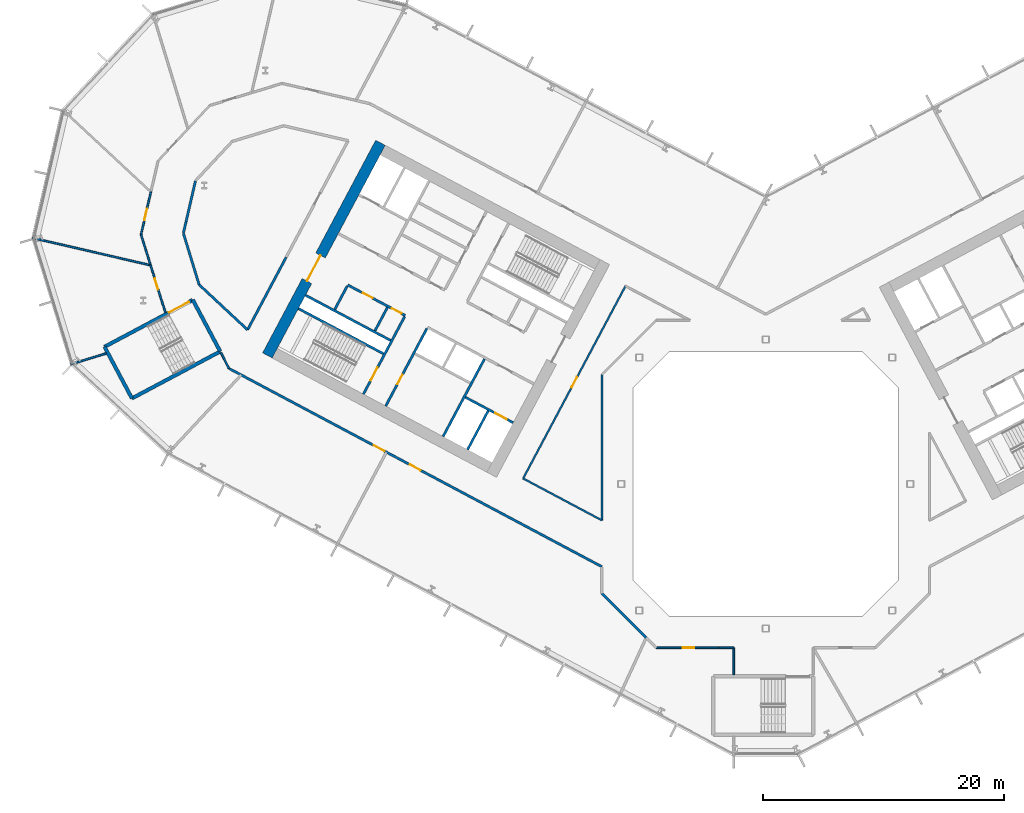
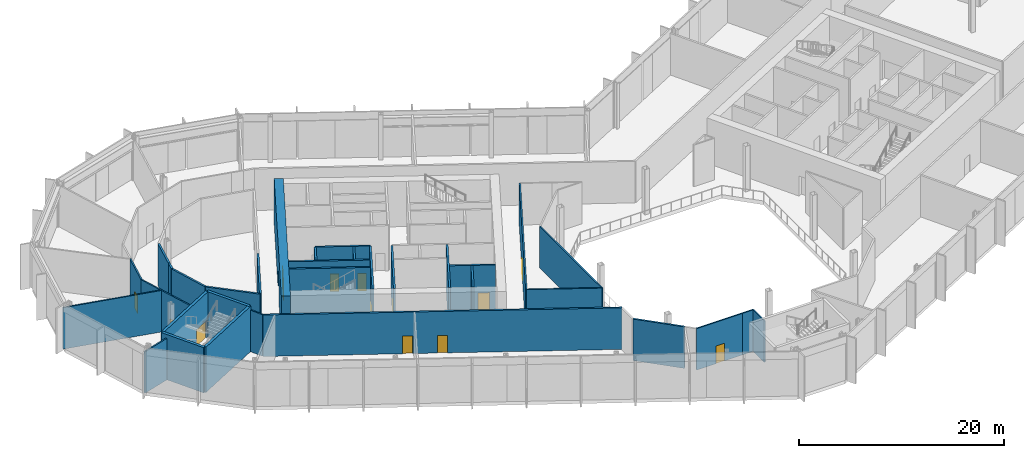
# One storey, part 12 of 30: 34 walls, 13 doors, 13 openings.
"""IFC4 building model written with IfcOpenShell, lengths in metres."""

import ifcopenshell
import ifcopenshell.guid

model = None  # the IFC model being written
_history = None  # IfcOwnerHistory: only IFC2X3 demands one
_inside = {}  # id of a spatial element -> (the spatial element, [elements in it])
_under = {}  # id of a project, library or spatial element -> (it, [spatial elements below it])
_declared = {}  # id of a project -> (the project, [libraries it declares])
_typed = {}  # id of a type object -> (the type object, [elements of that type])
_made_of = {}  # id of a material, layer set ... -> (it, [elements and type objects made of it])


def new_model(schema):
    """Start an empty IFC model of exactly this schema.

    Asked for "IFC4X3", IfcOpenShell would pick the latest addendum, in which some entities
    have other attributes; the version numbers below select the first issue.
    IFC2X3 requires an IfcOwnerHistory on every rooted entity: one is made here for all.
    """
    global model, _history
    if schema == "IFC4X3":
        model = ifcopenshell.file(schema_version=(4, 3, 0, 0))
    else:
        model = ifcopenshell.file(schema=schema)
    _inside.clear()
    _under.clear()
    _declared.clear()
    _typed.clear()
    _made_of.clear()
    _history = None
    if model.schema == "IFC2X3":
        org = make("IfcOrganization", Name="unknown")
        user = make(
            "IfcPersonAndOrganization",
            ThePerson=make("IfcPerson", FamilyName="unknown"),
            TheOrganization=org,
        )
        app = make(
            "IfcApplication",
            ApplicationDeveloper=org,
            Version="unknown",
            ApplicationFullName="unknown",
            ApplicationIdentifier="unknown",
        )
        _history = make(
            "IfcOwnerHistory",
            OwningUser=user,
            OwningApplication=app,
            ChangeAction="ADDED",
            CreationDate=0,
        )
    return model


def make(cls, **values):
    """One entity of the class cls with the attributes given. An attribute that is None is left unset."""
    return model.create_entity(
        cls, **{name: value for name, value in values.items() if value is not None}
    )


def rooted(cls, **values):
    """An entity with a GlobalId (a new one), such as an element, a storey or a relation."""
    return make(cls, GlobalId=ifcopenshell.guid.new(), OwnerHistory=_history, **values)


def si_unit(unit_type, name, prefix=None):
    """IfcSIUnit, for example si_unit("LENGTHUNIT", "METRE", prefix="MILLI")."""
    return make("IfcSIUnit", UnitType=unit_type, Prefix=prefix, Name=name)


def assignment(units):
    """IfcUnitAssignment: the units of a project."""
    return None if units is None else make("IfcUnitAssignment", Units=units)


def point(xyz):
    """IfcCartesianPoint."""
    return None if xyz is None else make("IfcCartesianPoint", Coordinates=xyz)


def direction(xyz):
    """IfcDirection."""
    return None if xyz is None else make("IfcDirection", DirectionRatios=xyz)


def frame(location, z_axis=None, x_axis=None):
    """IfcAxis2Placement3D, a coordinate frame: its origin and axes. An axis left out is left unset."""
    return make(
        "IfcAxis2Placement3D",
        Location=point(location),
        Axis=direction(z_axis),
        RefDirection=direction(x_axis),
    )


def frame_2d(location, x_axis=None):
    """IfcAxis2Placement2D, a coordinate frame in the plane: its origin and x axis."""
    return make(
        "IfcAxis2Placement2D", Location=point(location), RefDirection=direction(x_axis)
    )


def origin():
    """The frame at (0, 0, 0) with its axes left unset."""
    return frame((0.0, 0.0, 0.0))


def place(relative_to, where):
    """IfcLocalPlacement: puts the frame where relative to a parent placement (None: the world)."""
    return make(
        "IfcLocalPlacement", PlacementRelTo=relative_to, RelativePlacement=where
    )


def context(
    kind, dimensions, precision=None, world=None, true_north=None, identifier=None
):
    """IfcGeometricRepresentationContext, for example the 3D "Model" context."""
    return make(
        "IfcGeometricRepresentationContext",
        ContextIdentifier=identifier,
        ContextType=kind,
        CoordinateSpaceDimension=dimensions,
        Precision=precision,
        WorldCoordinateSystem=world,
        TrueNorth=true_north,
    )


def subcontext(parent, identifier, kind, view, scale=None):
    """IfcGeometricRepresentationSubContext, for example "Body" below "Model"."""
    return make(
        "IfcGeometricRepresentationSubContext",
        ContextIdentifier=identifier,
        ContextType=kind,
        ParentContext=parent,
        TargetScale=scale,
        TargetView=view,
    )


def project(units=None, contexts=None):
    """IfcProject with its units and contexts."""
    return rooted(
        "IfcProject",
        Name="project",
        RepresentationContexts=contexts,
        UnitsInContext=assignment(units),
    )


def spatial(cls, under=None, at=None, **own):
    """A site, building, storey or space (cls), placed at a placement, below another one or the project."""
    s = rooted(cls, ObjectPlacement=at, **own)
    if under is not None:
        _under.setdefault(under.id(), (under, []))[1].append(s)
    return s


def profile(cls, at=None, kind="AREA", **sizes):
    """A parametric profile (cls). Its sizes go by their IFC names, for example OverallWidth=200.0."""
    return make(cls, ProfileType=kind, Position=at, **sizes)


def rectangle(**sizes):
    """IfcRectangleProfileDef."""
    return profile("IfcRectangleProfileDef", **sizes)


def extrude(swept, where, along, depth):
    """IfcExtrudedAreaSolid: the profile swept, set in the frame where, extruded along a direction by depth."""
    return make(
        "IfcExtrudedAreaSolid",
        SweptArea=swept,
        Position=where,
        ExtrudedDirection=direction(along),
        Depth=depth,
    )


def shape(context_of_items, identifier, shape_type, items):
    """IfcShapeRepresentation: the items that make up one representation, for example the "Body"."""
    return make(
        "IfcShapeRepresentation",
        ContextOfItems=context_of_items,
        RepresentationIdentifier=identifier,
        RepresentationType=shape_type,
        Items=items,
    )


def material(Name=None, Category=None):
    """IfcMaterial."""
    return make("IfcMaterial", Name=Name, Category=Category)


def layer(
    of_material, thickness, ventilated=None, Name=None, Category=None, Priority=None
):
    """IfcMaterialLayer: one layer of a wall or slab, of a material (None: an air gap)."""
    return make(
        "IfcMaterialLayer",
        Material=of_material,
        LayerThickness=thickness,
        IsVentilated=ventilated,
        Name=Name,
        Category=Category,
        Priority=Priority,
    )


def layer_set(layers, Name=None):
    """IfcMaterialLayerSet."""
    return make("IfcMaterialLayerSet", MaterialLayers=layers, LayerSetName=Name)


def made_of(thing, what):
    """Note that an element or type object is made of a material, layer set ...; save() writes the relation."""
    if what is not None:
        _made_of.setdefault(what.id(), (what, []))[1].append(thing)
    return thing


def type_object(cls, material=None, **own):
    """A type object (cls), such as IfcWallType, which elements share."""
    return made_of(rooted(cls, **own), material)


def element(
    cls,
    number,
    at=None,
    inside=None,
    cuts=None,
    type_object=None,
    material=None,
    context=None,
    identifier="Body",
    shape_type=None,
    held_by="IfcProductDefinitionShape",
    body=None,
    shapes=None,
    **own,
):
    """One element of the class cls, such as IfcWall. Its Tag is "e" and its number.

    at: its placement. inside: the storey or other place that contains it. cuts: it is an
    opening in that element (IfcRelVoidsElement). A single representation is given by context,
    identifier, shape_type and body (its items); several are given by shapes. held_by: the class
    of the entity that holds the representations. save() writes the other relations.
    """
    e = rooted(cls, Tag="e%d" % number, ObjectPlacement=at, **own)
    if body is not None:
        shapes = [shape(context, identifier, shape_type, body)]
    if shapes is not None:
        e.Representation = make(held_by, Representations=shapes)
    if inside is not None:
        _inside.setdefault(inside.id(), (inside, []))[1].append(e)
    if cuts is not None:
        rooted(
            "IfcRelVoidsElement", RelatingBuildingElement=cuts, RelatedOpeningElement=e
        )
    if type_object is not None:
        _typed.setdefault(type_object.id(), (type_object, []))[1].append(e)
    return made_of(e, material)


def fill(opening, filler):
    """IfcRelFillsElement: the door or window that sits in an opening."""
    return rooted(
        "IfcRelFillsElement",
        RelatingOpeningElement=opening,
        RelatedBuildingElement=filler,
    )


def aggregate(whole, parts):
    """IfcRelAggregates: a whole, such as a stair, and the parts it consists of."""
    return rooted("IfcRelAggregates", RelatingObject=whole, RelatedObjects=parts)


def save(model, path):
    """Write the relations noted so far, then the file.

    IfcRelAggregates (storeys below a building ...), IfcRelContainedInSpatialStructure (elements
    in a storey), IfcRelDefinesByType, IfcRelAssociatesMaterial and IfcRelDeclares: one each for
    every whole, place, type object, material and project.
    """
    for whole, parts in _under.values():
        aggregate(whole, parts)
    for where, things in _inside.values():
        rooted(
            "IfcRelContainedInSpatialStructure",
            RelatedElements=things,
            RelatingStructure=where,
        )
    for kind, things in _typed.values():
        rooted("IfcRelDefinesByType", RelatedObjects=things, RelatingType=kind)
    for what, things in _made_of.values():
        rooted("IfcRelAssociatesMaterial", RelatedObjects=things, RelatingMaterial=what)
    for by, libraries in _declared.values():
        rooted("IfcRelDeclares", RelatingContext=by, RelatedDefinitions=libraries)
    model.write(path)


model = new_model("IFC4")

# Units and contexts
model_context = context("Model", 3, precision=1e-05, world=origin(), true_north=direction((0.0, 1.0)))
body_context = subcontext(model_context, "Body", "Model", "MODEL_VIEW")
ifc_project = project(units=[si_unit("LENGTHUNIT", "METRE"), si_unit("AREAUNIT", "SQUARE_METRE"), si_unit("VOLUMEUNIT", "CUBIC_METRE"), si_unit("PLANEANGLEUNIT", "RADIAN"), si_unit("MASSUNIT", "GRAM", prefix="KILO")], contexts=[model_context])

# Site, building, storey
site_placement = place(None, origin())
site = spatial("IfcSite", under=ifc_project, at=site_placement, CompositionType="ELEMENT")
building_placement = place(site_placement, origin())
building = spatial("IfcBuilding", under=site, at=building_placement, Name="Cormorant Relay Tower", CompositionType="ELEMENT")
storey_placement = place(building_placement, frame((0.0, 0.0, 44.60009765625)))
storey = spatial("IfcBuildingStorey", under=building, at=storey_placement, Name="L08", CompositionType="ELEMENT", Elevation=44.60009765625)

# Walls
ifc_material_1 = material(Name="Concrete 40 MPa", Category="concrete")
ifc_layer_1 = layer(ifc_material_1, 0.199951171875)
ifc_layer_set_1 = layer_set([ifc_layer_1], Name="Core internal wall 200")
wall_type_1 = type_object("IfcWallType", Name="Core internal wall 200", PredefinedType="SOLIDWALL", material=ifc_layer_set_1)
wall_1_placement = place(storey_placement, frame((-31.41259765625, 14.663818359375, 0.0), z_axis=(0.0, 0.0, 1.0), x_axis=(-0.469533832133, -0.882914480843, 0.0)))
element("IfcWall", 1, at=wall_1_placement, inside=storey, type_object=wall_type_1, Name="L08 core A shaft and room wall", PredefinedType="SOLIDWALL", context=body_context, shape_type="SweptSolid", body=[
    extrude(rectangle(XDim=2.199951171875, YDim=0.199951171875, at=frame_2d((1.10009765625, 0.0))), origin(), (0.0, 0.0, 1.0), 5.39990234375),
])
ifc_material_2 = material(Name="Concrete 50 MPa", Category="concrete")
ifc_layer_2 = layer(ifc_material_2, 0.199951171875)
ifc_layer_set_2 = layer_set([ifc_layer_2], Name="Core shaft wall 200")
wall_type_2 = type_object("IfcWallType", Name="Core shaft wall 200", PredefinedType="SHEAR", material=ifc_layer_set_2)
wall_2_placement = place(storey_placement, frame((-23.04296875, 6.07958984375, 0.0), z_axis=(0.0, 0.0, 1.0), x_axis=(-0.469494272526, -0.882935517501, 0.0)))
element("IfcWall", 2, at=wall_2_placement, inside=storey, type_object=wall_type_2, Name="L08 core A shaft wall", PredefinedType="SHEAR", context=body_context, shape_type="SweptSolid", body=[
    extrude(rectangle(XDim=3.64990234375, YDim=0.199951171875, at=frame_2d((1.824951171875, 0.0))), origin(), (0.0, 0.0, 1.0), 5.39990234375),
])
wall_3_placement = place(storey_placement, frame((-23.360107421875, 10.38232421875, 0.0), z_axis=(0.0, 0.0, 1.0), x_axis=(-0.469480409012, -0.88294288918, 0.0)))
element("IfcWall", 3, at=wall_3_placement, inside=storey, type_object=wall_type_2, Name="L08 core A shaft wall", PredefinedType="SHEAR", context=body_context, shape_type="SweptSolid", body=[
    extrude(rectangle(XDim=7.300048828125, YDim=0.199951171875, at=frame_2d((3.64990234375, 0.0))), origin(), (0.0, 0.0, 1.0), 5.39990234375),
])

# Wall, opening, door
wall_4_placement = place(storey_placement, frame((-28.128173828125, 12.91748046875, 0.0), z_axis=(0.0, 0.0, 1.0), x_axis=(-0.469454336211, -0.882956752176, 0.0)))
wall_4 = element("IfcWall", 4, at=wall_4_placement, inside=storey, type_object=wall_type_2, Name="L08 core A shaft wall", PredefinedType="SHEAR", context=body_context, shape_type="SweptSolid", body=[
    extrude(rectangle(XDim=7.300048828125, YDim=0.199951171875, at=frame_2d((3.64990234375, 0.0))), origin(), (0.0, 0.0, 1.0), 5.39990234375),
])
opening_1_placement = place(wall_4_placement, frame((4.35009765625, 0.0, 0.0)))
opening_1 = element("IfcOpeningElement", 5, at=opening_1_placement, cuts=wall_4, Name="Opening CDD-096", PredefinedType="OPENING", context=body_context, shape_type="SweptSolid", body=[
    extrude(rectangle(XDim=0.89990234375, YDim=2.10009765625, at=frame_2d((0.449951171875, 1.050048828125))), frame((0.0, 0.10986328125, 0.0), z_axis=(0.0, -1.0, 0.0), x_axis=(1.0, 0.0, 0.0)), (0.0, 0.0, 1.0), 0.219970703125),
])
ifc_material_3 = material(Name="Steel fire door", Category="steel")
door_type_1 = type_object("IfcDoorType", Name="Core room door 900x2100", OperationType="SINGLE_SWING_LEFT", PredefinedType="DOOR", material=ifc_material_3)
door_1_placement = place(opening_1_placement, origin())
door_1 = element("IfcDoor", 6, at=door_1_placement, inside=storey, type_object=door_type_1, Name="Core room door 900x2100", OperationType="SINGLE_SWING_LEFT", OverallHeight=2.10009765625, OverallWidth=0.89990234375, PredefinedType="DOOR", context=body_context, shape_type="SweptSolid", body=[
    extrude(rectangle(XDim=0.89990234375, YDim=2.10009765625, at=frame_2d((0.449951171875, 1.050048828125))), frame((0.0, 0.02490234375, 0.0), z_axis=(0.0, -1.0, 0.0), x_axis=(1.0, 0.0, 0.0)), (0.0, 0.0, 1.0), 0.050048828125),
])
fill(opening_1, door_1)

wall_5_placement = place(storey_placement, frame((-29.982421875, 13.9033203125, 0.0), z_axis=(0.0, 0.0, 1.0), x_axis=(-0.469454336211, -0.882956752176, 0.0)))
wall_5 = element("IfcWall", 7, at=wall_5_placement, inside=storey, type_object=wall_type_2, Name="L08 core A shaft wall", PredefinedType="SHEAR", context=body_context, shape_type="SweptSolid", body=[
    extrude(rectangle(XDim=7.300048828125, YDim=0.199951171875, at=frame_2d((3.64990234375, 0.0))), origin(), (0.0, 0.0, 1.0), 5.39990234375),
])
opening_2_placement = place(wall_5_placement, frame((4.800048828125, 0.0, 0.0)))
opening_2 = element("IfcOpeningElement", 8, at=opening_2_placement, cuts=wall_5, Name="Opening CDB-020", PredefinedType="OPENING", context=body_context, shape_type="SweptSolid", body=[
    extrude(rectangle(XDim=1.199951171875, YDim=2.10009765625, at=frame_2d((0.60009765625, 1.050048828125))), frame((0.0, 0.10986328125, 0.0), z_axis=(0.0, -1.0, 0.0), x_axis=(1.0, 0.0, 0.0)), (0.0, 0.0, 1.0), 0.219970703125),
])
ifc_material_4 = material(Name="Steel fire door", Category="steel")
door_type_2 = type_object("IfcDoorType", Name="Core stair door 1200x2100", OperationType="SINGLE_SWING_LEFT", PredefinedType="DOOR", material=ifc_material_4)
door_2_placement = place(opening_2_placement, frame((1.199951171875, 0.0, 0.0), z_axis=(0.0, 0.0, 1.0), x_axis=(-1.0, 0.0, 0.0)))
door_2 = element("IfcDoor", 9, at=door_2_placement, inside=storey, type_object=door_type_2, Name="Core stair door 1200x2100", OperationType="SINGLE_SWING_RIGHT", OverallHeight=2.10009765625, OverallWidth=1.199951171875, PredefinedType="DOOR", context=body_context, shape_type="SweptSolid", body=[
    extrude(rectangle(XDim=1.199951171875, YDim=2.10009765625, at=frame_2d((0.60009765625, 1.050048828125))), frame((0.0, 0.02490234375, 0.0), z_axis=(0.0, -1.0, 0.0), x_axis=(1.0, 0.0, 0.0)), (0.0, 0.0, 1.0), 0.050048828125),
])
fill(opening_2, door_2)

# Wall
wall_6_placement = place(storey_placement, frame((-34.750244140625, 16.4384765625, 0.0), z_axis=(0.0, 0.0, 1.0), x_axis=(-0.469401318492, -0.882984938828, 0.0)))
element("IfcWall", 10, at=wall_6_placement, inside=storey, type_object=wall_type_2, Name="L08 core A shaft wall", PredefinedType="SHEAR", context=body_context, shape_type="SweptSolid", body=[
    extrude(rectangle(XDim=2.199951171875, YDim=0.199951171875, at=frame_2d((1.10009765625, 0.0))), origin(), (0.0, 0.0, 1.0), 5.39990234375),
])

# Wall, openings, doors
wall_7_placement = place(storey_placement, frame((-29.935302734375, 13.991455078125, 0.0), z_axis=(0.0, 0.0, 1.0), x_axis=(-0.882952937579, 0.469461510692, 0.0)))
wall_7 = element("IfcWall", 11, at=wall_7_placement, inside=storey, type_object=wall_type_2, Name="L08 core A shaft wall", PredefinedType="SHEAR", context=body_context, shape_type="SweptSolid", body=[
    extrude(rectangle(XDim=5.400146484375, YDim=0.199951171875, at=frame_2d((2.7001953125, 0.0))), origin(), (0.0, 0.0, 1.0), 5.39990234375),
])
opening_3_placement = place(wall_7_placement, frame((0.360107421875, 0.0, 0.0)))
opening_3 = element("IfcOpeningElement", 12, at=opening_3_placement, cuts=wall_7, Name="Opening CDD-063", PredefinedType="OPENING", context=body_context, shape_type="SweptSolid", body=[
    extrude(rectangle(XDim=0.89990234375, YDim=2.10009765625, at=frame_2d((0.449951171875, 1.050048828125))), frame((0.0, 0.10986328125, 0.0), z_axis=(0.0, -1.0, 0.0), x_axis=(1.0, 0.0, 0.0)), (0.0, 0.0, 1.0), 0.219970703125),
])
opening_4_placement = place(wall_7_placement, frame((3.06005859375, 0.0, 0.0)))
opening_4 = element("IfcOpeningElement", 13, at=opening_4_placement, cuts=wall_7, Name="Opening CDD-064", PredefinedType="OPENING", context=body_context, shape_type="SweptSolid", body=[
    extrude(rectangle(XDim=0.89990234375, YDim=2.10009765625, at=frame_2d((0.449951171875, 1.050048828125))), frame((0.0, 0.10986328125, 0.0), z_axis=(0.0, -1.0, 0.0), x_axis=(1.0, 0.0, 0.0)), (0.0, 0.0, 1.0), 0.219970703125),
])
door_3_placement = place(opening_3_placement, origin())
door_3 = element("IfcDoor", 14, at=door_3_placement, inside=storey, type_object=door_type_1, Name="Core room door 900x2100", OperationType="SINGLE_SWING_LEFT", OverallHeight=2.10009765625, OverallWidth=0.89990234375, PredefinedType="DOOR", context=body_context, shape_type="SweptSolid", body=[
    extrude(rectangle(XDim=0.89990234375, YDim=2.10009765625, at=frame_2d((0.449951171875, 1.050048828125))), frame((0.0, 0.02490234375, 0.0), z_axis=(0.0, -1.0, 0.0), x_axis=(1.0, 0.0, 0.0)), (0.0, 0.0, 1.0), 0.050048828125),
])
fill(opening_3, door_3)
door_4_placement = place(opening_4_placement, origin())
door_4 = element("IfcDoor", 15, at=door_4_placement, inside=storey, type_object=door_type_1, Name="Core room door 900x2100", OperationType="SINGLE_SWING_LEFT", OverallHeight=2.10009765625, OverallWidth=0.89990234375, PredefinedType="DOOR", context=body_context, shape_type="SweptSolid", body=[
    extrude(rectangle(XDim=0.89990234375, YDim=2.10009765625, at=frame_2d((0.449951171875, 1.050048828125))), frame((0.0, 0.02490234375, 0.0), z_axis=(0.0, -1.0, 0.0), x_axis=(1.0, 0.0, 0.0)), (0.0, 0.0, 1.0), 0.050048828125),
])
fill(opening_4, door_4)

# Wall
wall_8_placement = place(storey_placement, frame((-31.150390625, 11.91943359375, 0.0), z_axis=(0.0, 0.0, 1.0), x_axis=(-0.882940221191, 0.469485426614, 0.0)))
element("IfcWall", 16, at=wall_8_placement, inside=storey, type_object=wall_type_2, Name="L08 core A shaft wall", PredefinedType="SHEAR", context=body_context, shape_type="SweptSolid", body=[
    extrude(rectangle(XDim=8.0, YDim=0.199951171875, at=frame_2d((4.0, 0.0))), origin(), (0.0, 0.0, 1.0), 5.39990234375),
])

# Wall, opening, door
wall_9_placement = place(storey_placement, frame((-20.96533203125, 5.088134765625, 0.0), z_axis=(0.0, 0.0, 1.0), x_axis=(-0.882925986334, 0.469512196493, 0.0)))
wall_9 = element("IfcWall", 17, at=wall_9_placement, inside=storey, type_object=wall_type_2, Name="L08 core A shaft wall", PredefinedType="SHEAR", context=body_context, shape_type="SweptSolid", body=[
    extrude(rectangle(XDim=4.5, YDim=0.199951171875, at=frame_2d((2.25, 0.0))), origin(), (0.0, 0.0, 1.0), 5.39990234375),
])
opening_5_placement = place(wall_9_placement, frame((0.60009765625, 0.0, 0.0)))
opening_5 = element("IfcOpeningElement", 18, at=opening_5_placement, cuts=wall_9, Name="Opening LD1-019", PredefinedType="OPENING", context=body_context, shape_type="SweptSolid", body=[
    extrude(rectangle(XDim=1.10009765625, YDim=2.10009765625, at=frame_2d((0.550048828125, 1.050048828125))), frame((0.0, 0.10986328125, 0.0), z_axis=(0.0, -1.0, 0.0), x_axis=(1.0, 0.0, 0.0)), (0.0, 0.0, 1.0), 0.219970703125),
])
ifc_material_5 = material(Name="Stainless steel 316", Category="steel")
door_type_3 = type_object("IfcDoorType", Name="Lift landing door 1100x2100", OperationType="DOUBLE_DOOR_SLIDING", PredefinedType="DOOR", material=ifc_material_5)
door_5_placement = place(opening_5_placement, origin())
door_5 = element("IfcDoor", 19, at=door_5_placement, inside=storey, type_object=door_type_3, Name="FF1 landing door", OperationType="DOUBLE_DOOR_SLIDING", OverallHeight=2.10009765625, OverallWidth=1.10009765625, PredefinedType="DOOR", context=body_context, shape_type="SweptSolid", body=[
    extrude(rectangle(XDim=1.10009765625, YDim=2.10009765625, at=frame_2d((0.550048828125, 1.050048828125))), frame((0.0, 0.02490234375, 0.0), z_axis=(0.0, -1.0, 0.0), x_axis=(1.0, 0.0, 0.0)), (0.0, 0.0, 1.0), 0.050048828125),
])
fill(opening_5, door_5)

# Wall
wall_10_placement = place(storey_placement, frame((-31.7373046875, 10.815673828125, 0.0), z_axis=(0.0, 0.0, 1.0), x_axis=(-0.882940221191, 0.469485426614, 0.0)))
element("IfcWall", 20, at=wall_10_placement, inside=storey, type_object=wall_type_2, Name="L08 core A shaft wall", PredefinedType="SHEAR", context=body_context, shape_type="SweptSolid", body=[
    extrude(rectangle(XDim=8.0, YDim=0.199951171875, at=frame_2d((4.0, 0.0))), origin(), (0.0, 0.0, 1.0), 5.39990234375),
])

# Wall, opening, door
ifc_material_6 = material(Name="Concrete 70 MPa", Category="concrete")
ifc_layer_3 = layer(ifc_material_6, 0.89990234375)
ifc_layer_set_3 = layer_set([ifc_layer_3], Name="Core wall 900")
wall_type_3 = type_object("IfcWallType", Name="Core wall 900", PredefinedType="SHEAR", material=ifc_layer_set_3)
wall_11_placement = place(storey_placement, frame((-31.99169921875, 28.3359375, 0.0), z_axis=(0.0, 0.0, 1.0), x_axis=(-0.46947084998, -0.882947971864, 0.0)))
wall_11 = element("IfcWall", 21, at=wall_11_placement, inside=storey, type_object=wall_type_3, Name="L08 core A wall", PredefinedType="SHEAR", context=body_context, shape_type="SweptSolid", body=[
    extrude(rectangle(XDim=20.0, YDim=0.89990234375, at=frame_2d((10.0, 0.0))), origin(), (0.0, 0.0, 1.0), 5.39990234375),
])
opening_6_placement = place(wall_11_placement, frame((10.60009765625, 0.0, 0.0)))
opening_6 = element("IfcOpeningElement", 22, at=opening_6_placement, cuts=wall_11, Name="Opening CDA-014", PredefinedType="OPENING", context=body_context, shape_type="SweptSolid", body=[
    extrude(rectangle(XDim=2.39990234375, YDim=2.39990234375, at=frame_2d((1.199951171875, 1.199951171875))), frame((0.0, 0.4599609375, 0.0), z_axis=(0.0, -1.0, 0.0), x_axis=(1.0, 0.0, 0.0)), (0.0, 0.0, 1.0), 0.919921875),
])
ifc_material_7 = material(Name="Steel fire door", Category="steel")
door_type_4 = type_object("IfcDoorType", Name="Core lobby door 2400x2400", OperationType="DOUBLE_DOOR_SINGLE_SWING", PredefinedType="DOOR", material=ifc_material_7)
door_6_placement = place(opening_6_placement, origin())
door_6 = element("IfcDoor", 23, at=door_6_placement, inside=storey, type_object=door_type_4, Name="Core lobby door 2400x2400", OperationType="DOUBLE_DOOR_SINGLE_SWING", OverallHeight=2.39990234375, OverallWidth=2.39990234375, PredefinedType="DOOR", context=body_context, shape_type="SweptSolid", body=[
    extrude(rectangle(XDim=2.39990234375, YDim=2.39990234375, at=frame_2d((1.199951171875, 1.199951171875))), frame((0.0, 0.02490234375, 0.0), z_axis=(0.0, -1.0, 0.0), x_axis=(1.0, 0.0, 0.0)), (0.0, 0.0, 1.0), 0.050048828125),
])
fill(opening_6, door_6)

# Walls
ifc_material_8 = material(Name="Fire-rated gypsum board partition")
ifc_layer_4 = layer(ifc_material_8, 0.199951171875)
ifc_layer_set_4 = layer_set([ifc_layer_4], Name="Fire-rated gypsum partition 200")
wall_type_4 = type_object("IfcWallType", Name="Fire-rated gypsum partition 200", PredefinedType="PARTITIONING", material=ifc_layer_set_4)
wall_12_placement = place(storey_placement, frame((-48.137939453125, 21.76806640625, 0.0), z_axis=(0.0, 0.0, 1.0), x_axis=(0.224910471472, 0.974379433189, 0.0)))
element("IfcWall", 24, at=wall_12_placement, inside=storey, type_object=wall_type_4, Name="wall/L08/part/12", PredefinedType="PARTITIONING", context=body_context, shape_type="SweptSolid", body=[
    extrude(rectangle(XDim=3.49853515625, YDim=0.199951171875, at=frame_2d((1.749267578125, 0.0))), origin(), (0.0, 0.0, 1.0), 4.949951171875),
])
wall_13_placement = place(storey_placement, frame((-43.02587890625, 12.802001953125, 0.0), z_axis=(0.0, 0.0, 1.0), x_axis=(-0.731412266015, 0.68193555203, 0.0)))
element("IfcWall", 25, at=wall_13_placement, inside=storey, type_object=wall_type_4, Name="wall/L08/part/14", PredefinedType="PARTITIONING", context=body_context, shape_type="SweptSolid", body=[
    extrude(rectangle(XDim=5.501953125, YDim=0.199951171875, at=frame_2d((2.7509765625, 0.0))), origin(), (0.0, 0.0, 1.0), 4.949951171875),
])
wall_14_placement = place(storey_placement, frame((-47.050048828125, 16.553955078125, 0.0), z_axis=(0.0, 0.0, 1.0), x_axis=(-0.292399072869, 0.956296388253, 0.0)))
element("IfcWall", 26, at=wall_14_placement, inside=storey, type_object=wall_type_4, Name="wall/L08/part/15", PredefinedType="PARTITIONING", context=body_context, shape_type="SweptSolid", body=[
    extrude(rectangle(XDim=4.466064453125, YDim=0.199951171875, at=frame_2d((2.23291015625, 0.0))), origin(), (0.0, 0.0, 1.0), 4.949951171875),
])
wall_15_placement = place(storey_placement, frame((-48.35595703125, 20.824951171875, 0.0), z_axis=(0.0, 0.0, 1.0), x_axis=(0.225227894395, 0.974306109796, 0.0)))
element("IfcWall", 27, at=wall_15_placement, inside=storey, type_object=wall_type_4, Name="wall/L08/part/16", PredefinedType="PARTITIONING", context=body_context, shape_type="SweptSolid", body=[
    extrude(rectangle(XDim=0.968017578125, YDim=0.199951171875, at=frame_2d((0.48388671875, 0.0))), origin(), (0.0, 0.0, 1.0), 4.949951171875),
])

# Wall, openings, doors
wall_16_placement = place(storey_placement, frame((-13.60009765625, -6.868896484375, 0.0), z_axis=(0.0, 0.0, 1.0), x_axis=(-0.88295406426, 0.469459391648, 0.0)))
wall_16 = element("IfcWall", 28, at=wall_16_placement, inside=storey, type_object=wall_type_4, Name="wall/L08/part/21", PredefinedType="PARTITIONING", context=body_context, shape_type="SweptSolid", body=[
    extrude(rectangle(XDim=35.091064453125, YDim=0.199951171875, at=frame_2d((17.54541015625, 0.0))), origin(), (0.0, 0.0, 1.0), 4.949951171875),
])
opening_7_placement = place(wall_16_placement, frame((20.449951171875, 0.0, 0.0)))
opening_7 = element("IfcOpeningElement", 29, at=opening_7_placement, cuts=wall_16, Name="Opening FD1-051", PredefinedType="OPENING", context=body_context, shape_type="SweptSolid", body=[
    extrude(rectangle(XDim=1.0, YDim=2.10009765625, at=frame_2d((0.5, 1.050048828125))), frame((0.0, 0.10986328125, 0.0), z_axis=(0.0, -1.0, 0.0), x_axis=(1.0, 0.0, 0.0)), (0.0, 0.0, 1.0), 0.219970703125),
])
opening_8_placement = place(wall_16_placement, frame((17.050048828125, 0.0, 0.0)))
opening_8 = element("IfcOpeningElement", 30, at=opening_8_placement, cuts=wall_16, Name="Opening FD1-052", PredefinedType="OPENING", context=body_context, shape_type="SweptSolid", body=[
    extrude(rectangle(XDim=1.0, YDim=2.10009765625, at=frame_2d((0.5, 1.050048828125))), frame((0.0, 0.10986328125, 0.0), z_axis=(0.0, -1.0, 0.0), x_axis=(1.0, 0.0, 0.0)), (0.0, 0.0, 1.0), 0.219970703125),
])
ifc_material_9 = material(Name="Fire-rated steel door", Category="steel")
door_type_5 = type_object("IfcDoorType", Name="Fire door 1000 x 2100", OperationType="SINGLE_SWING_LEFT", PredefinedType="DOOR", material=ifc_material_9)
door_7_placement = place(opening_7_placement, origin())
door_7 = element("IfcDoor", 31, at=door_7_placement, inside=storey, type_object=door_type_5, Name="door/L08/18", OperationType="SINGLE_SWING_LEFT", OverallHeight=2.10009765625, OverallWidth=1.0, PredefinedType="DOOR", context=body_context, shape_type="SweptSolid", body=[
    extrude(rectangle(XDim=1.0, YDim=2.10009765625, at=frame_2d((0.5, 1.050048828125))), frame((0.0, 0.02490234375, 0.0), z_axis=(0.0, -1.0, 0.0), x_axis=(1.0, 0.0, 0.0)), (0.0, 0.0, 1.0), 0.050048828125),
])
fill(opening_7, door_7)
door_8_placement = place(opening_8_placement, origin())
door_8 = element("IfcDoor", 32, at=door_8_placement, inside=storey, type_object=door_type_5, Name="door/L08/19", OperationType="SINGLE_SWING_LEFT", OverallHeight=2.10009765625, OverallWidth=1.0, PredefinedType="DOOR", context=body_context, shape_type="SweptSolid", body=[
    extrude(rectangle(XDim=1.0, YDim=2.10009765625, at=frame_2d((0.5, 1.050048828125))), frame((0.0, 0.02490234375, 0.0), z_axis=(0.0, -1.0, 0.0), x_axis=(1.0, 0.0, 0.0)), (0.0, 0.0, 1.0), 0.050048828125),
])
fill(opening_8, door_8)

# Walls
wall_17_placement = place(storey_placement, frame((-39.825927734375, 18.820068359375, 0.0), z_axis=(0.0, 0.0, 1.0), x_axis=(-0.469481685648, -0.882942210363, 0.0)))
element("IfcWall", 33, at=wall_17_placement, inside=storey, type_object=wall_type_4, Name="wall/L08/part/23", PredefinedType="PARTITIONING", context=body_context, shape_type="SweptSolid", body=[
    extrude(rectangle(XDim=6.81591796875, YDim=0.199951171875, at=frame_2d((3.407958984375, 0.0))), origin(), (0.0, 0.0, 1.0), 4.949951171875),
])
wall_18_placement = place(storey_placement, frame((-9.91796875, -12.759033203125, 0.0), z_axis=(0.0, 0.0, 1.0), x_axis=(-0.707106781187, 0.707106781187, 0.0)))
element("IfcWall", 34, at=wall_18_placement, inside=storey, type_object=wall_type_4, Name="wall/L08/part/39", PredefinedType="PARTITIONING", context=body_context, shape_type="SweptSolid", body=[
    extrude(rectangle(XDim=5.207275390625, YDim=0.199951171875, at=frame_2d((2.603515625, 0.0))), origin(), (0.0, 0.0, 1.0), 4.949951171875),
])
ifc_material_10 = material(Name="Gypsum board partition")
ifc_layer_5 = layer(ifc_material_10, 0.14990234375)
ifc_layer_set_5 = layer_set([ifc_layer_5], Name="Gypsum board partition 150")
wall_type_5 = type_object("IfcWallType", Name="Gypsum board partition 150", PredefinedType="PARTITIONING", material=ifc_layer_set_5)
wall_19_placement = place(storey_placement, frame((-51.080078125, 18.16796875, 0.0), z_axis=(0.0, 0.0, 1.0), x_axis=(-0.974375306075, 0.224928350615, 0.0)))
element("IfcWall", 35, at=wall_19_placement, inside=storey, type_object=wall_type_5, Name="wall/L08/part/1", PredefinedType="PARTITIONING", context=body_context, shape_type="SweptSolid", body=[
    extrude(rectangle(XDim=10.100830078125, YDim=0.14990234375, at=frame_2d((5.05029296875, 0.0))), origin(), (0.0, 0.0, 1.0), 4.949951171875),
])
wall_20_placement = place(storey_placement, frame((-54.7607421875, 10.847900390625, 0.0), z_axis=(0.0, 0.0, 1.0), x_axis=(-0.956301064033, -0.29238378021, 0.0)))
element("IfcWall", 36, at=wall_20_placement, inside=storey, type_object=wall_type_5, Name="wall/L08/part/3", PredefinedType="PARTITIONING", context=body_context, shape_type="SweptSolid", body=[
    extrude(rectangle(XDim=3.115478515625, YDim=0.14990234375, at=frame_2d((1.5576171875, 0.0))), origin(), (0.0, 0.0, 1.0), 4.949951171875),
])

# Wall, opening, door
wall_21_placement = place(storey_placement, frame((-51.041015625, 24.31103515625, 0.0), z_axis=(0.0, 0.0, 1.0), x_axis=(-0.224893203367, -0.974383418927, 0.0)))
wall_21 = element("IfcWall", 37, at=wall_21_placement, inside=storey, type_object=wall_type_5, Name="wall/L08/part/4", PredefinedType="PARTITIONING", context=body_context, shape_type="SweptSolid", body=[
    extrude(rectangle(XDim=3.7041015625, YDim=0.14990234375, at=frame_2d((1.85205078125, 0.0))), origin(), (0.0, 0.0, 1.0), 4.949951171875),
])
opening_9_placement = place(wall_21_placement, frame((1.48193359375, 0.0, 0.0)))
opening_9 = element("IfcOpeningElement", 38, at=opening_9_placement, cuts=wall_21, Name="Opening D1-020", PredefinedType="OPENING", context=body_context, shape_type="SweptSolid", body=[
    extrude(rectangle(XDim=1.0, YDim=2.10009765625, at=frame_2d((0.5, 1.050048828125))), frame((0.0, 0.0849609375, 0.0), z_axis=(0.0, -1.0, 0.0), x_axis=(1.0, 0.0, 0.0)), (0.0, 0.0, 1.0), 0.169921875),
])
ifc_material_11 = material(Name="Painted steel door", Category="steel")
door_type_6 = type_object("IfcDoorType", Name="Single door 1000 x 2100", OperationType="SINGLE_SWING_LEFT", PredefinedType="DOOR", material=ifc_material_11)
door_9_placement = place(opening_9_placement, frame((1.0, 0.0, 0.0), z_axis=(0.0, 0.0, 1.0), x_axis=(-1.0, 0.0, 0.0)))
door_9 = element("IfcDoor", 39, at=door_9_placement, inside=storey, type_object=door_type_6, Name="door/L08/16", OperationType="SINGLE_SWING_RIGHT", OverallHeight=2.10009765625, OverallWidth=1.0, PredefinedType="DOOR", context=body_context, shape_type="SweptSolid", body=[
    extrude(rectangle(XDim=1.0, YDim=2.10009765625, at=frame_2d((0.5, 1.050048828125))), frame((0.0, 0.02490234375, 0.0), z_axis=(0.0, -1.0, 0.0), x_axis=(1.0, 0.0, 0.0)), (0.0, 0.0, 1.0), 0.050048828125),
])
fill(opening_9, door_9)

# Wall
wall_22_placement = place(storey_placement, frame((-51.8740234375, 20.701904296875, 0.0), z_axis=(0.0, 0.0, 1.0), x_axis=(0.299019355328, -0.954247046178, 0.0)))
element("IfcWall", 40, at=wall_22_placement, inside=storey, type_object=wall_type_5, Name="wall/L08/part/5", PredefinedType="PARTITIONING", context=body_context, shape_type="SweptSolid", body=[
    extrude(rectangle(XDim=2.595458984375, YDim=0.14990234375, at=frame_2d((1.2978515625, 0.0))), origin(), (0.0, 0.0, 1.0), 4.949951171875),
])

# Wall, opening, door
wall_23_placement = place(storey_placement, frame((-49.847412109375, 14.233642578125, 0.0), z_axis=(0.0, 0.0, 1.0), x_axis=(-0.29896287329, 0.954264743346, 0.0)))
wall_23 = element("IfcWall", 41, at=wall_23_placement, inside=storey, type_object=wall_type_5, Name="wall/L08/part/6", PredefinedType="PARTITIONING", context=body_context, shape_type="SweptSolid", body=[
    extrude(rectangle(XDim=4.182861328125, YDim=0.14990234375, at=frame_2d((2.09130859375, 0.0))), origin(), (0.0, 0.0, 1.0), 4.949951171875),
])
opening_10_placement = place(wall_23_placement, frame((2.014892578125, 0.0, 0.0)))
opening_10 = element("IfcOpeningElement", 42, at=opening_10_placement, cuts=wall_23, Name="Opening D2-007", PredefinedType="OPENING", context=body_context, shape_type="SweptSolid", body=[
    extrude(rectangle(XDim=0.949951171875, YDim=2.10009765625, at=frame_2d((0.47509765625, 1.050048828125))), frame((0.0, 0.0849609375, 0.0), z_axis=(0.0, -1.0, 0.0), x_axis=(1.0, 0.0, 0.0)), (0.0, 0.0, 1.0), 0.169921875),
])
ifc_material_12 = material(Name="Timber door", Category="wood")
door_type_7 = type_object("IfcDoorType", Name="Toilet door 950 x 2100", OperationType="SINGLE_SWING_LEFT", PredefinedType="DOOR", material=ifc_material_12)
door_10_placement = place(opening_10_placement, origin())
door_10 = element("IfcDoor", 43, at=door_10_placement, inside=storey, type_object=door_type_7, Name="door/L08/17", OperationType="SINGLE_SWING_RIGHT", OverallHeight=2.10009765625, OverallWidth=0.949951171875, PredefinedType="DOOR", context=body_context, shape_type="SweptSolid", body=[
    extrude(rectangle(XDim=0.949951171875, YDim=2.10009765625, at=frame_2d((0.47509765625, 1.050048828125))), frame((0.0, 0.02490234375, 0.0), z_axis=(0.0, -1.0, 0.0), x_axis=(1.0, 0.0, 0.0)), (0.0, 0.0, 1.0), 0.050048828125),
])
fill(opening_10, door_10)

# Wall
wall_24_placement = place(storey_placement, frame((-44.583984375, 9.60498046875, 0.0), z_axis=(0.0, 0.0, 1.0), x_axis=(-0.445453249083, 0.895305200968, 0.0)))
element("IfcWall", 44, at=wall_24_placement, inside=storey, type_object=wall_type_5, Name="wall/L08/part/22", PredefinedType="PARTITIONING", context=body_context, shape_type="SweptSolid", body=[
    extrude(rectangle(XDim=1.443115234375, YDim=0.14990234375, at=frame_2d((0.7216796875, 0.0))), origin(), (0.0, 0.0, 1.0), 4.949951171875),
])

# Wall, opening, door
wall_25_placement = place(storey_placement, frame((-20.14208984375, 0.4599609375, 0.0), z_axis=(0.0, 0.0, 1.0), x_axis=(0.469506937019, 0.882928783136, 0.0)))
wall_25 = element("IfcWall", 45, at=wall_25_placement, inside=storey, type_object=wall_type_5, Name="wall/L08/part/35", PredefinedType="PARTITIONING", context=body_context, shape_type="SweptSolid", body=[
    extrude(rectangle(XDim=18.099853515625, YDim=0.14990234375, at=frame_2d((9.0498046875, 0.0))), origin(), (0.0, 0.0, 1.0), 4.949951171875),
])
opening_11_placement = place(wall_25_placement, frame((8.550048828125, 0.0, 0.0)))
opening_11 = element("IfcOpeningElement", 46, at=opening_11_placement, cuts=wall_25, Name="Opening D1-021", PredefinedType="OPENING", context=body_context, shape_type="SweptSolid", body=[
    extrude(rectangle(XDim=1.0, YDim=2.10009765625, at=frame_2d((0.5, 1.050048828125))), frame((0.0, 0.0849609375, 0.0), z_axis=(0.0, -1.0, 0.0), x_axis=(1.0, 0.0, 0.0)), (0.0, 0.0, 1.0), 0.169921875),
])
door_11_placement = place(opening_11_placement, frame((1.0, 0.0, 0.0), z_axis=(0.0, 0.0, 1.0), x_axis=(-1.0, 0.0, 0.0)))
door_11 = element("IfcDoor", 47, at=door_11_placement, inside=storey, type_object=door_type_6, Name="door/L08/2", OperationType="SINGLE_SWING_LEFT", OverallHeight=2.10009765625, OverallWidth=1.0, PredefinedType="DOOR", context=body_context, shape_type="SweptSolid", body=[
    extrude(rectangle(XDim=1.0, YDim=2.10009765625, at=frame_2d((0.5, 1.050048828125))), frame((0.0, 0.02490234375, 0.0), z_axis=(0.0, -1.0, 0.0), x_axis=(1.0, 0.0, 0.0)), (0.0, 0.0, 1.0), 0.050048828125),
])
fill(opening_11, door_11)

# Walls
wall_26_placement = place(storey_placement, frame((-13.60009765625, -3.01904296875, 0.0), z_axis=(0.0, 0.0, 1.0), x_axis=(-0.882915984826, 0.469531004022, 0.0)))
element("IfcWall", 48, at=wall_26_placement, inside=storey, type_object=wall_type_5, Name="wall/L08/part/37", PredefinedType="PARTITIONING", context=body_context, shape_type="SweptSolid", body=[
    extrude(rectangle(XDim=7.409423828125, YDim=0.14990234375, at=frame_2d((3.70458984375, 0.0))), origin(), (0.0, 0.0, 1.0), 4.949951171875),
])
wall_27_placement = place(storey_placement, frame((-13.60009765625, 9.076904296875, 0.0), z_axis=(0.0, 0.0, 1.0), x_axis=(0.0, -1.0, 0.0)))
element("IfcWall", 49, at=wall_27_placement, inside=storey, type_object=wall_type_5, Name="wall/L08/part/41", PredefinedType="PARTITIONING", context=body_context, shape_type="SweptSolid", body=[
    extrude(rectangle(XDim=12.095947265625, YDim=0.14990234375, at=frame_2d((6.0478515625, 0.0))), origin(), (0.0, 0.0, 1.0), 4.949951171875),
])

# Wall, opening, door
wall_28_placement = place(storey_placement, frame((-3.887939453125, -13.60009765625, 0.0), z_axis=(0.0, 0.0, 1.0), x_axis=(-1.0, 0.0, 0.0)))
wall_28 = element("IfcWall", 50, at=wall_28_placement, inside=storey, type_object=wall_type_5, Name="wall/L08/part/44", PredefinedType="PARTITIONING", context=body_context, shape_type="SweptSolid", body=[
    extrude(rectangle(XDim=5.18896484375, YDim=0.14990234375, at=frame_2d((2.594482421875, 0.0))), origin(), (0.0, 0.0, 1.0), 4.949951171875),
])
opening_12_placement = place(wall_28_placement, frame((2.050048828125, 0.0, 0.0)))
opening_12 = element("IfcOpeningElement", 51, at=opening_12_placement, cuts=wall_28, Name="Opening D2-008", PredefinedType="OPENING", context=body_context, shape_type="SweptSolid", body=[
    extrude(rectangle(XDim=0.949951171875, YDim=2.10009765625, at=frame_2d((0.47509765625, 1.050048828125))), frame((0.0, 0.0849609375, 0.0), z_axis=(0.0, -1.0, 0.0), x_axis=(1.0, 0.0, 0.0)), (0.0, 0.0, 1.0), 0.169921875),
])
door_12_placement = place(opening_12_placement, origin())
door_12 = element("IfcDoor", 52, at=door_12_placement, inside=storey, type_object=door_type_7, Name="door/L08/20", OperationType="SINGLE_SWING_LEFT", OverallHeight=2.10009765625, OverallWidth=0.949951171875, PredefinedType="DOOR", context=body_context, shape_type="SweptSolid", body=[
    extrude(rectangle(XDim=0.949951171875, YDim=2.10009765625, at=frame_2d((0.47509765625, 1.050048828125))), frame((0.0, 0.02490234375, 0.0), z_axis=(0.0, -1.0, 0.0), x_axis=(1.0, 0.0, 0.0)), (0.0, 0.0, 1.0), 0.050048828125),
])
fill(opening_12, door_12)

# Walls
wall_29_placement = place(storey_placement, frame((-2.64892578125, -15.840087890625, 0.0), z_axis=(0.0, 0.0, 1.0), x_axis=(0.0, 1.0, 0.0)))
element("IfcWall", 53, at=wall_29_placement, inside=storey, type_object=wall_type_5, Name="wall/L08/part/48", PredefinedType="PARTITIONING", context=body_context, shape_type="SweptSolid", body=[
    extrude(rectangle(XDim=2.239990234375, YDim=0.14990234375, at=frame_2d((1.1201171875, 0.0))), origin(), (0.0, 0.0, 1.0), 4.949951171875),
])
wall_30_placement = place(storey_placement, frame((-2.64892578125, -13.60009765625, 0.0), z_axis=(0.0, 0.0, 1.0), x_axis=(-1.0, 0.0, 0.0)))
element("IfcWall", 54, at=wall_30_placement, inside=storey, type_object=wall_type_5, Name="wall/L08/part/49", PredefinedType="PARTITIONING", context=body_context, shape_type="SweptSolid", body=[
    extrude(rectangle(XDim=1.239013671875, YDim=0.14990234375, at=frame_2d((0.61962890625, 0.0))), origin(), (0.0, 0.0, 1.0), 4.949951171875),
])
ifc_material_13 = material(Name="Concrete 50 MPa", Category="concrete")
ifc_layer_6 = layer(ifc_material_13, 0.300048828125)
ifc_layer_set_6 = layer_set([ifc_layer_6], Name="Remote stair wall 300")
wall_type_6 = type_object("IfcWallType", Name="Remote stair wall 300", PredefinedType="SHEAR", material=ifc_layer_set_6)
wall_31_placement = place(storey_placement, frame((-47.57421875, 15.28955078125, 0.0), z_axis=(0.0, 0.0, 1.0), x_axis=(0.469443498566, -0.882962514297, 0.0)))
element("IfcWall", 55, at=wall_31_placement, inside=storey, type_object=wall_type_6, Name="L08 exit stair RP1 wall", PredefinedType="SHEAR", context=body_context, shape_type="SweptSolid", body=[
    extrude(rectangle(XDim=4.85009765625, YDim=0.300048828125, at=frame_2d((2.425048828125, 0.0))), origin(), (0.0, 0.0, 1.0), 5.39990234375),
])
wall_32_placement = place(storey_placement, frame((-45.29736328125, 11.007080078125, 0.0), z_axis=(0.0, 0.0, 1.0), x_axis=(-0.882951519127, -0.469464178475, 0.0)))
element("IfcWall", 56, at=wall_32_placement, inside=storey, type_object=wall_type_6, Name="L08 exit stair RP1 wall", PredefinedType="SHEAR", context=body_context, shape_type="SweptSolid", body=[
    extrude(rectangle(XDim=8.2998046875, YDim=0.300048828125, at=frame_2d((4.14990234375, 0.0))), origin(), (0.0, 0.0, 1.0), 5.39990234375),
])
wall_33_placement = place(storey_placement, frame((-52.625732421875, 7.110595703125, 0.0), z_axis=(0.0, 0.0, 1.0), x_axis=(-0.469464364128, 0.882951420416, 0.0)))
element("IfcWall", 57, at=wall_33_placement, inside=storey, type_object=wall_type_6, Name="L08 exit stair RP1 wall", PredefinedType="SHEAR", context=body_context, shape_type="SweptSolid", body=[
    extrude(rectangle(XDim=4.849853515625, YDim=0.300048828125, at=frame_2d((2.4248046875, 0.0))), origin(), (0.0, 0.0, 1.0), 5.39990234375),
])

# Wall, opening, door
wall_34_placement = place(storey_placement, frame((-54.902587890625, 11.392822265625, 0.0), z_axis=(0.0, 0.0, 1.0), x_axis=(0.882939326045, 0.469487110071, 0.0)))
wall_34 = element("IfcWall", 58, at=wall_34_placement, inside=storey, type_object=wall_type_6, Name="L08 exit stair RP1 wall", PredefinedType="SHEAR", context=body_context, shape_type="SweptSolid", body=[
    extrude(rectangle(XDim=8.300048828125, YDim=0.300048828125, at=frame_2d((4.14990234375, 0.0))), origin(), (0.0, 0.0, 1.0), 5.39990234375),
])
opening_13_placement = place(wall_34_placement, frame((6.050048828125, 0.0, 0.0)))
opening_13 = element("IfcOpeningElement", 59, at=opening_13_placement, cuts=wall_34, Name="Opening CDE-007", PredefinedType="OPENING", context=body_context, shape_type="SweptSolid", body=[
    extrude(rectangle(XDim=1.89990234375, YDim=2.10009765625, at=frame_2d((0.949951171875, 1.050048828125))), frame((0.0, 0.159912109375, 0.0), z_axis=(0.0, -1.0, 0.0), x_axis=(1.0, 0.0, 0.0)), (0.0, 0.0, 1.0), 0.320068359375),
])
ifc_material_14 = material(Name="Steel fire door", Category="steel")
door_type_8 = type_object("IfcDoorType", Name="Remote stair door 1900x2100", OperationType="DOUBLE_DOOR_SINGLE_SWING", PredefinedType="DOOR", material=ifc_material_14)
door_13_placement = place(opening_13_placement, frame((1.89990234375, 0.0, 0.0), z_axis=(0.0, 0.0, 1.0), x_axis=(-1.0, 0.0, 0.0)))
door_13 = element("IfcDoor", 60, at=door_13_placement, inside=storey, type_object=door_type_8, Name="Exit stair RP1 door", OperationType="DOUBLE_DOOR_SINGLE_SWING", OverallHeight=2.10009765625, OverallWidth=1.89990234375, PredefinedType="DOOR", context=body_context, shape_type="SweptSolid", body=[
    extrude(rectangle(XDim=1.89990234375, YDim=2.10009765625, at=frame_2d((0.949951171875, 1.050048828125))), frame((0.0, 0.02490234375, 0.0), z_axis=(0.0, -1.0, 0.0), x_axis=(1.0, 0.0, 0.0)), (0.0, 0.0, 1.0), 0.050048828125),
])
fill(opening_13, door_13)

save(model, "model.ifc")
